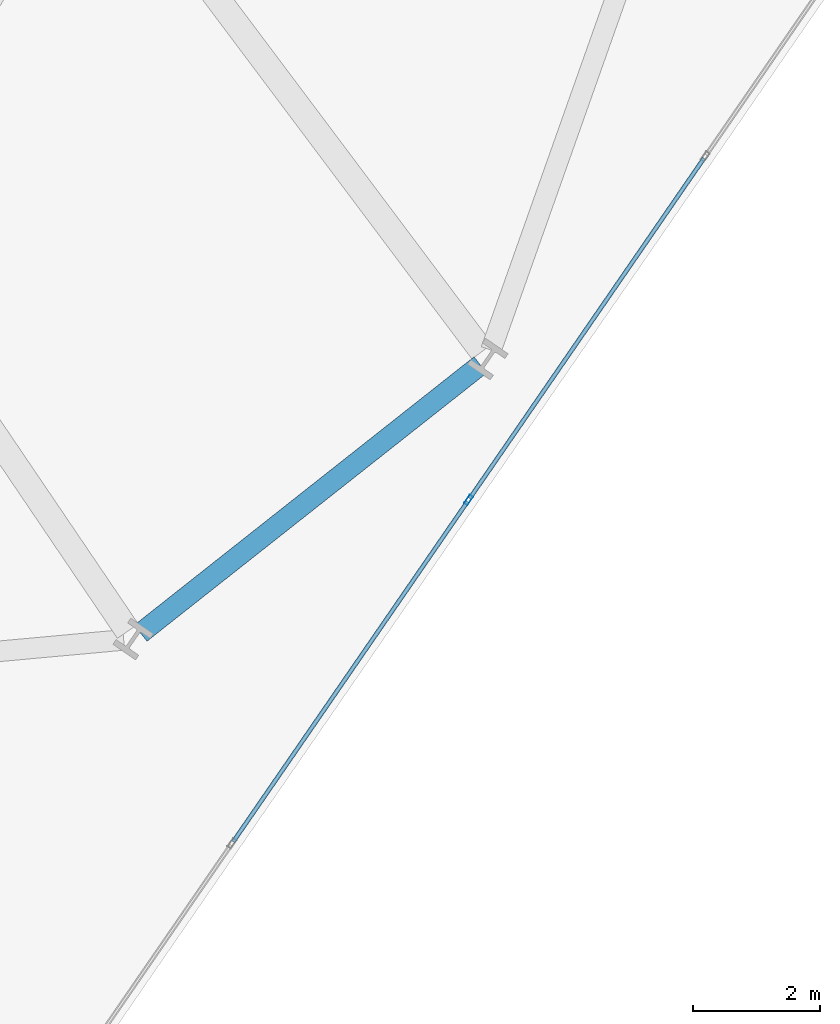
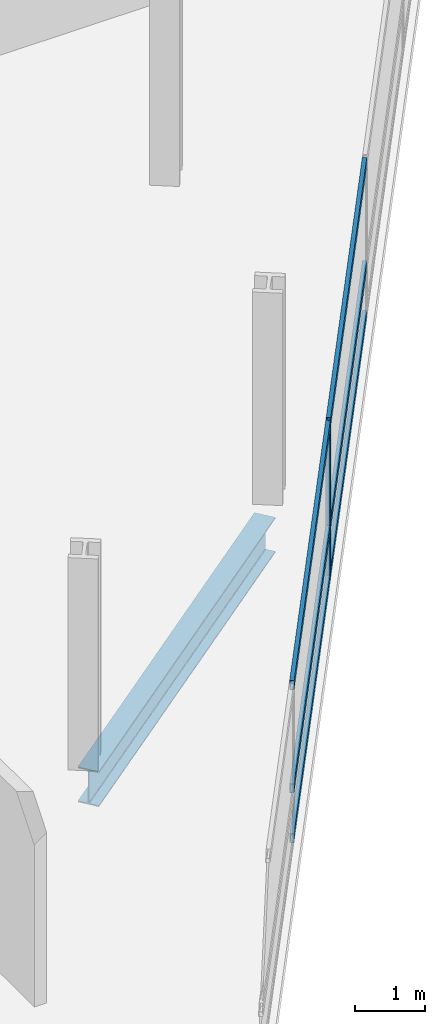
# One storey, part 9 of 27: 7 members, 1 beam, 1 element without a shape of its own.
"""IFC4 building model written with IfcOpenShell, lengths in metres."""

from ifc_helpers import new_model, si_unit, direction, frame, origin, origin_2d, place, context, subcontext, project, spatial, hollow_rectangle, i_section, extrude, material, layer, layer_set, material_profile, profile_set, type_object, element, aggregate, save


model = new_model("IFC4")

# Units and contexts
model_context = context("Model", 3, precision=1e-05, world=origin(), true_north=direction((0.0, 1.0)))
body_context = subcontext(model_context, "Body", "Model", "MODEL_VIEW")
ifc_project = project(units=[si_unit("LENGTHUNIT", "METRE"), si_unit("AREAUNIT", "SQUARE_METRE"), si_unit("VOLUMEUNIT", "CUBIC_METRE"), si_unit("PLANEANGLEUNIT", "RADIAN"), si_unit("MASSUNIT", "GRAM", prefix="KILO")], contexts=[model_context])

# Site, building, storey
site_placement = place(None, origin())
site = spatial("IfcSite", under=ifc_project, at=site_placement, CompositionType="ELEMENT")
building_placement = place(site_placement, origin())
building = spatial("IfcBuilding", under=site, at=building_placement, Name="Varnelok Gate Tower", CompositionType="ELEMENT")
storey_placement = place(building_placement, frame((0.0, 0.0, 30.699951171875)))
storey = spatial("IfcBuildingStorey", under=building, at=storey_placement, Name="L06", CompositionType="ELEMENT", Elevation=30.699951171875)

# Beam
ifc_material_1 = material(Name="Structural Steel ASTM A992 Grade 50", Category="steel")
ifc_material_profile_1 = material_profile(ifc_material_1, i_section(OverallWidth=0.323974609375, OverallDepth=0.611083984375, WebThickness=0.0126953125, FlangeThickness=0.01904296875, FilletRadius=0.01806640625, at=origin_2d()), Name="W24X104")
ifc_profile_set_1 = profile_set([ifc_material_profile_1], Name="Structural Steel ASTM A992 Grade 50")
beam_type = type_object("IfcBeamType", Name="BM-SPN-W24X104", PredefinedType="SPANDREL", material=ifc_profile_set_1)
beam_placement = place(storey_placement, frame((66.202392578125, 1.045654296875, -0.555419921875), z_axis=(0.784860761341, 0.619672159538, 0.0), x_axis=(-0.619672159538, 0.784860761341, 0.0)))
element("IfcBeam", 1, at=beam_placement, inside=storey, type_object=beam_type, Name="L06 Perimeter Spandrel Beam 6", PredefinedType="SPANDREL", context=body_context, shape_type="SweptSolid", body=[
    extrude(i_section(OverallWidth=0.323974609375, OverallDepth=0.611083984375, WebThickness=0.0126953125, FlangeThickness=0.01904296875, FilletRadius=0.01806640625, at=origin_2d()), origin(), (0.0, 0.0, 1.0), 6.81640625),
])

# Curtain wall, members
ifc_material_2 = material(Name="Anodized Aluminum Alloy 6063-T6", Category="aluminium")
ifc_layer = layer(ifc_material_2, 0.179931640625)
ifc_layer_set = layer_set([ifc_layer], Name="Anodized Aluminum Alloy 6063-T6")
curtain_wall_type = type_object("IfcCurtainWallType", Name="CW3-HOTEL-VISION", PredefinedType="USERDEFINED", material=ifc_layer_set)
curtain_wall_placement = place(storey_placement, origin())
curtain_wall = element("IfcCurtainWall", 2, at=curtain_wall_placement, inside=storey, type_object=curtain_wall_type, Name="L06 East End Vision Curtain Wall", ObjectType="UNITISED CURTAIN WALL", PredefinedType="USERDEFINED")
ifc_material_profile_2 = material_profile(ifc_material_2, hollow_rectangle(XDim=0.06494140625, YDim=0.159912109375, WallThickness=0.00390625, at=origin_2d()), Name="ALU160X65X4")
ifc_profile_set_2 = profile_set([ifc_material_profile_2], Name="Anodized Aluminum Alloy 6063-T6")
member_type_1 = type_object("IfcMemberType", Name="CW-MULL-160", PredefinedType="MULLION", material=ifc_profile_set_2)
member_1_placement = place(storey_placement, frame((71.3671875, 3.142578125, 0.0), z_axis=(0.0, 0.0, 1.0), x_axis=(0.823532685111, -0.567268822124, 0.0)))
member_1 = element("IfcMember", 3, at=member_1_placement, type_object=member_type_1, Name="CW3 mullion 4", PredefinedType="MULLION", context=body_context, shape_type="SweptSolid", body=[
    extrude(hollow_rectangle(XDim=0.06494140625, YDim=0.159912109375, WallThickness=0.00390625, at=origin_2d()), origin(), (0.0, 0.0, 1.0), 2.72998046875),
])
ifc_material_profile_3 = material_profile(ifc_material_2, hollow_rectangle(XDim=0.06494140625, YDim=0.159912109375, WallThickness=0.00390625, at=origin_2d()), Name="ALU160X65X4")
ifc_profile_set_3 = profile_set([ifc_material_profile_3], Name="Anodized Aluminum Alloy 6063-T6")
member_type_2 = type_object("IfcMemberType", Name="CW-TRAN-160", PredefinedType="USERDEFINED", material=ifc_profile_set_3)
member_2_placement = place(storey_placement, frame((75.07373046875, 8.523681640625, 0.032470703125), z_axis=(-0.56723619486, -0.82355515859, 0.0), x_axis=(0.82355515859, -0.56723619486, 0.0)))
member_2 = element("IfcMember", 4, at=member_2_placement, type_object=member_type_2, Name="CW3 transom 3.1", ObjectType="TRANSOM", PredefinedType="USERDEFINED", context=body_context, shape_type="SweptSolid", body=[
    extrude(hollow_rectangle(XDim=0.06494140625, YDim=0.159912109375, WallThickness=0.00390625, at=origin_2d()), origin(), (0.0, 0.0, 1.0), 6.501708984375),
])
member_3_placement = place(storey_placement, frame((75.07373046875, 8.523681640625, 0.900146484375), z_axis=(-0.56723619486, -0.82355515859, 0.0), x_axis=(0.82355515859, -0.56723619486, 0.0)))
member_3 = element("IfcMember", 5, at=member_3_placement, type_object=member_type_2, Name="CW3 transom 3.2", ObjectType="TRANSOM", PredefinedType="USERDEFINED", context=body_context, shape_type="SweptSolid", body=[
    extrude(hollow_rectangle(XDim=0.06494140625, YDim=0.159912109375, WallThickness=0.00390625, at=origin_2d()), origin(), (0.0, 0.0, 1.0), 6.501708984375),
])
member_4_placement = place(storey_placement, frame((75.07373046875, 8.523681640625, 2.697509765625), z_axis=(-0.56723619486, -0.82355515859, 0.0), x_axis=(0.82355515859, -0.56723619486, 0.0)))
member_4 = element("IfcMember", 6, at=member_4_placement, type_object=member_type_2, Name="CW3 transom 3.3", ObjectType="TRANSOM", PredefinedType="USERDEFINED", context=body_context, shape_type="SweptSolid", body=[
    extrude(hollow_rectangle(XDim=0.06494140625, YDim=0.159912109375, WallThickness=0.00390625, at=origin_2d()), origin(), (0.0, 0.0, 1.0), 6.501708984375),
])
member_5_placement = place(storey_placement, frame((71.348876953125, 3.11572265625, 0.032470703125), z_axis=(-0.567279204469, -0.823525533409, 0.0), x_axis=(0.823525533409, -0.567279204469, 0.0)))
member_5 = element("IfcMember", 7, at=member_5_placement, type_object=member_type_2, Name="CW3 transom 4.1", ObjectType="TRANSOM", PredefinedType="USERDEFINED", context=body_context, shape_type="SweptSolid", body=[
    extrude(hollow_rectangle(XDim=0.06494140625, YDim=0.159912109375, WallThickness=0.00390625, at=origin_2d()), origin(), (0.0, 0.0, 1.0), 6.501708984375),
])
member_6_placement = place(storey_placement, frame((71.348876953125, 3.11572265625, 0.900146484375), z_axis=(-0.567279204469, -0.823525533409, 0.0), x_axis=(0.823525533409, -0.567279204469, 0.0)))
member_6 = element("IfcMember", 8, at=member_6_placement, type_object=member_type_2, Name="CW3 transom 4.2", ObjectType="TRANSOM", PredefinedType="USERDEFINED", context=body_context, shape_type="SweptSolid", body=[
    extrude(hollow_rectangle(XDim=0.06494140625, YDim=0.159912109375, WallThickness=0.00390625, at=origin_2d()), origin(), (0.0, 0.0, 1.0), 6.501708984375),
])
member_7_placement = place(storey_placement, frame((71.348876953125, 3.11572265625, 2.697509765625), z_axis=(-0.567279204469, -0.823525533409, 0.0), x_axis=(0.823525533409, -0.567279204469, 0.0)))
member_7 = element("IfcMember", 9, at=member_7_placement, type_object=member_type_2, Name="CW3 transom 4.3", ObjectType="TRANSOM", PredefinedType="USERDEFINED", context=body_context, shape_type="SweptSolid", body=[
    extrude(hollow_rectangle(XDim=0.06494140625, YDim=0.159912109375, WallThickness=0.00390625, at=origin_2d()), origin(), (0.0, 0.0, 1.0), 6.501708984375),
])
aggregate(curtain_wall, [member_1, member_2, member_3, member_4, member_5, member_6, member_7])

save(model, "model.ifc")
